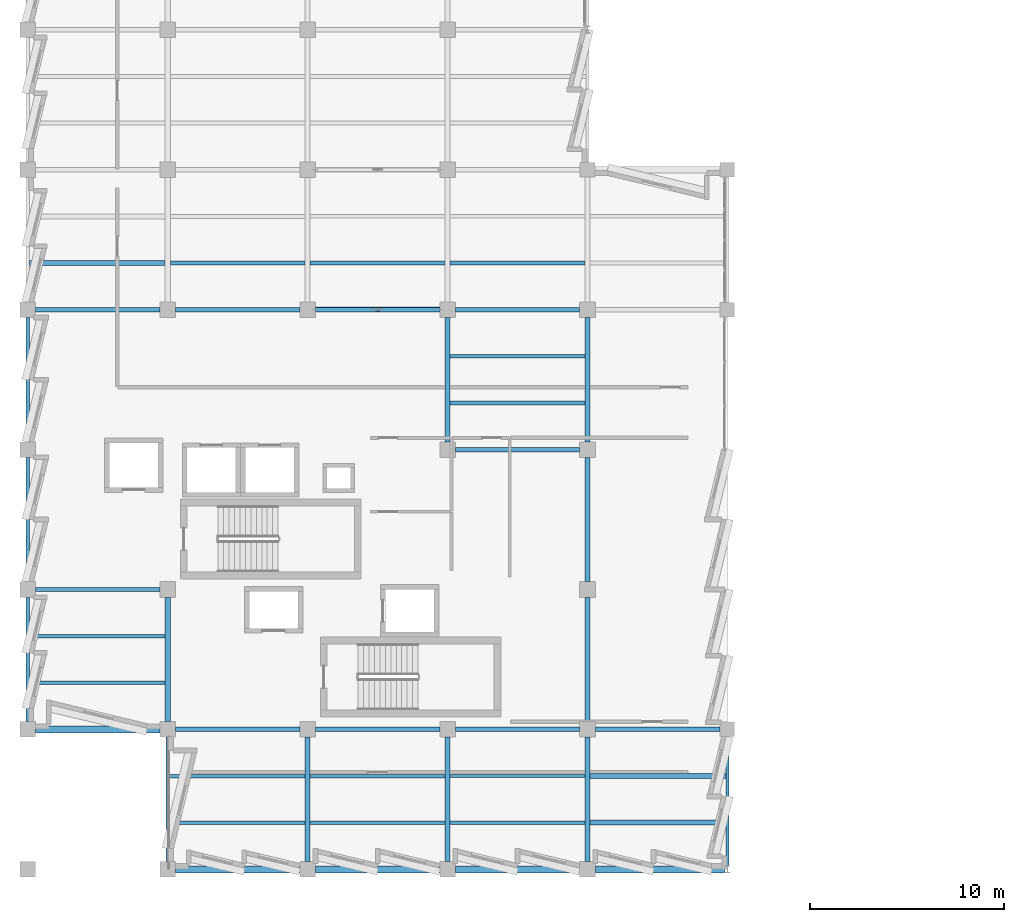
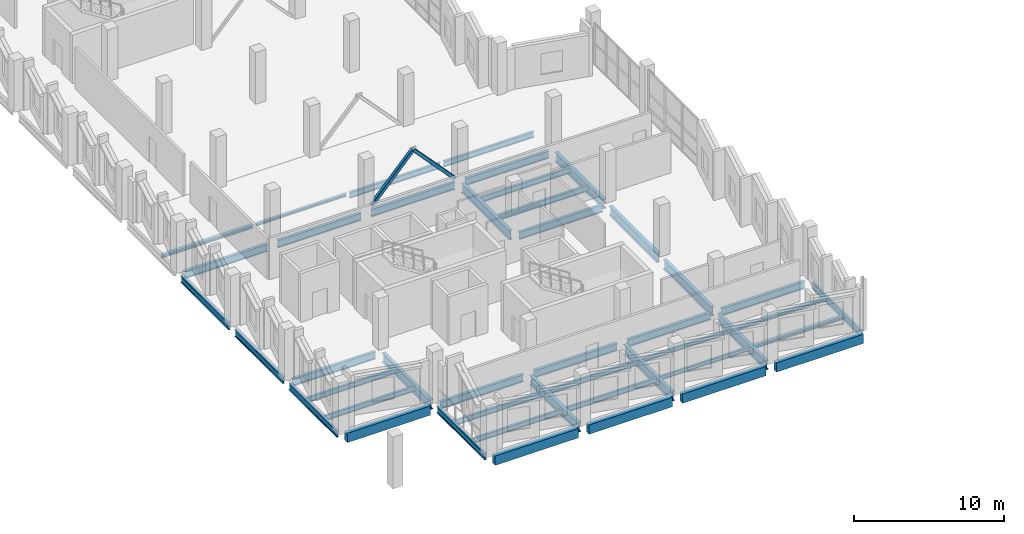
# One storey, part 23 of 94: 44 beams, 2 members.
"""IFC4 building model written with IfcOpenShell, lengths in metres."""

import ifcopenshell
import ifcopenshell.guid

model = None  # the IFC model being written
_history = None  # IfcOwnerHistory: only IFC2X3 demands one
_inside = {}  # id of a spatial element -> (the spatial element, [elements in it])
_under = {}  # id of a project, library or spatial element -> (it, [spatial elements below it])
_declared = {}  # id of a project -> (the project, [libraries it declares])
_typed = {}  # id of a type object -> (the type object, [elements of that type])
_made_of = {}  # id of a material, layer set ... -> (it, [elements and type objects made of it])


def new_model(schema):
    """Start an empty IFC model of exactly this schema.

    Asked for "IFC4X3", IfcOpenShell would pick the latest addendum, in which some entities
    have other attributes; the version numbers below select the first issue.
    IFC2X3 requires an IfcOwnerHistory on every rooted entity: one is made here for all.
    """
    global model, _history
    if schema == "IFC4X3":
        model = ifcopenshell.file(schema_version=(4, 3, 0, 0))
    else:
        model = ifcopenshell.file(schema=schema)
    _inside.clear()
    _under.clear()
    _declared.clear()
    _typed.clear()
    _made_of.clear()
    _history = None
    if model.schema == "IFC2X3":
        org = make("IfcOrganization", Name="unknown")
        user = make(
            "IfcPersonAndOrganization",
            ThePerson=make("IfcPerson", FamilyName="unknown"),
            TheOrganization=org,
        )
        app = make(
            "IfcApplication",
            ApplicationDeveloper=org,
            Version="unknown",
            ApplicationFullName="unknown",
            ApplicationIdentifier="unknown",
        )
        _history = make(
            "IfcOwnerHistory",
            OwningUser=user,
            OwningApplication=app,
            ChangeAction="ADDED",
            CreationDate=0,
        )
    return model


def make(cls, **values):
    """One entity of the class cls with the attributes given. An attribute that is None is left unset."""
    return model.create_entity(
        cls, **{name: value for name, value in values.items() if value is not None}
    )


def rooted(cls, **values):
    """An entity with a GlobalId (a new one), such as an element, a storey or a relation."""
    return make(cls, GlobalId=ifcopenshell.guid.new(), OwnerHistory=_history, **values)


def si_unit(unit_type, name, prefix=None):
    """IfcSIUnit, for example si_unit("LENGTHUNIT", "METRE", prefix="MILLI")."""
    return make("IfcSIUnit", UnitType=unit_type, Prefix=prefix, Name=name)


def assignment(units):
    """IfcUnitAssignment: the units of a project."""
    return None if units is None else make("IfcUnitAssignment", Units=units)


def point(xyz):
    """IfcCartesianPoint."""
    return None if xyz is None else make("IfcCartesianPoint", Coordinates=xyz)


def direction(xyz):
    """IfcDirection."""
    return None if xyz is None else make("IfcDirection", DirectionRatios=xyz)


def frame(location, z_axis=None, x_axis=None):
    """IfcAxis2Placement3D, a coordinate frame: its origin and axes. An axis left out is left unset."""
    return make(
        "IfcAxis2Placement3D",
        Location=point(location),
        Axis=direction(z_axis),
        RefDirection=direction(x_axis),
    )


def frame_2d(location, x_axis=None):
    """IfcAxis2Placement2D, a coordinate frame in the plane: its origin and x axis."""
    return make(
        "IfcAxis2Placement2D", Location=point(location), RefDirection=direction(x_axis)
    )


def origin():
    """The frame at (0, 0, 0) with its axes left unset."""
    return frame((0.0, 0.0, 0.0))


def origin_2d():
    """The frame at (0, 0) in the plane with its x axis left unset."""
    return frame_2d((0.0, 0.0))


def place(relative_to, where):
    """IfcLocalPlacement: puts the frame where relative to a parent placement (None: the world)."""
    return make(
        "IfcLocalPlacement", PlacementRelTo=relative_to, RelativePlacement=where
    )


def context(
    kind, dimensions, precision=None, world=None, true_north=None, identifier=None
):
    """IfcGeometricRepresentationContext, for example the 3D "Model" context."""
    return make(
        "IfcGeometricRepresentationContext",
        ContextIdentifier=identifier,
        ContextType=kind,
        CoordinateSpaceDimension=dimensions,
        Precision=precision,
        WorldCoordinateSystem=world,
        TrueNorth=true_north,
    )


def subcontext(parent, identifier, kind, view, scale=None):
    """IfcGeometricRepresentationSubContext, for example "Body" below "Model"."""
    return make(
        "IfcGeometricRepresentationSubContext",
        ContextIdentifier=identifier,
        ContextType=kind,
        ParentContext=parent,
        TargetScale=scale,
        TargetView=view,
    )


def project(units=None, contexts=None):
    """IfcProject with its units and contexts."""
    return rooted(
        "IfcProject",
        Name="project",
        RepresentationContexts=contexts,
        UnitsInContext=assignment(units),
    )


def spatial(cls, under=None, at=None, **own):
    """A site, building, storey or space (cls), placed at a placement, below another one or the project."""
    s = rooted(cls, ObjectPlacement=at, **own)
    if under is not None:
        _under.setdefault(under.id(), (under, []))[1].append(s)
    return s


def profile(cls, at=None, kind="AREA", **sizes):
    """A parametric profile (cls). Its sizes go by their IFC names, for example OverallWidth=200.0."""
    return make(cls, ProfileType=kind, Position=at, **sizes)


def rectangle(**sizes):
    """IfcRectangleProfileDef."""
    return profile("IfcRectangleProfileDef", **sizes)


def hollow_rectangle(**sizes):
    """IfcRectangleHollowProfileDef."""
    return profile("IfcRectangleHollowProfileDef", **sizes)


def i_section(**sizes):
    """IfcIShapeProfileDef."""
    return profile("IfcIShapeProfileDef", **sizes)


def extrude(swept, where, along, depth):
    """IfcExtrudedAreaSolid: the profile swept, set in the frame where, extruded along a direction by depth."""
    return make(
        "IfcExtrudedAreaSolid",
        SweptArea=swept,
        Position=where,
        ExtrudedDirection=direction(along),
        Depth=depth,
    )


def shape(context_of_items, identifier, shape_type, items):
    """IfcShapeRepresentation: the items that make up one representation, for example the "Body"."""
    return make(
        "IfcShapeRepresentation",
        ContextOfItems=context_of_items,
        RepresentationIdentifier=identifier,
        RepresentationType=shape_type,
        Items=items,
    )


def material(Name=None, Category=None):
    """IfcMaterial."""
    return make("IfcMaterial", Name=Name, Category=Category)


def material_profile(
    of_material, cross_section, Name=None, Category=None, Priority=None
):
    """IfcMaterialProfile: a cross section and its material."""
    return make(
        "IfcMaterialProfile",
        Name=Name,
        Material=of_material,
        Profile=cross_section,
        Priority=Priority,
        Category=Category,
    )


def profile_set(profiles, Name=None, composite=None):
    """IfcMaterialProfileSet."""
    return make(
        "IfcMaterialProfileSet",
        Name=Name,
        MaterialProfiles=profiles,
        CompositeProfile=composite,
    )


def made_of(thing, what):
    """Note that an element or type object is made of a material, layer set ...; save() writes the relation."""
    if what is not None:
        _made_of.setdefault(what.id(), (what, []))[1].append(thing)
    return thing


def type_object(cls, material=None, **own):
    """A type object (cls), such as IfcWallType, which elements share."""
    return made_of(rooted(cls, **own), material)


def element(
    cls,
    number,
    at=None,
    inside=None,
    cuts=None,
    type_object=None,
    material=None,
    context=None,
    identifier="Body",
    shape_type=None,
    held_by="IfcProductDefinitionShape",
    body=None,
    shapes=None,
    **own,
):
    """One element of the class cls, such as IfcWall. Its Tag is "e" and its number.

    at: its placement. inside: the storey or other place that contains it. cuts: it is an
    opening in that element (IfcRelVoidsElement). A single representation is given by context,
    identifier, shape_type and body (its items); several are given by shapes. held_by: the class
    of the entity that holds the representations. save() writes the other relations.
    """
    e = rooted(cls, Tag="e%d" % number, ObjectPlacement=at, **own)
    if body is not None:
        shapes = [shape(context, identifier, shape_type, body)]
    if shapes is not None:
        e.Representation = make(held_by, Representations=shapes)
    if inside is not None:
        _inside.setdefault(inside.id(), (inside, []))[1].append(e)
    if cuts is not None:
        rooted(
            "IfcRelVoidsElement", RelatingBuildingElement=cuts, RelatedOpeningElement=e
        )
    if type_object is not None:
        _typed.setdefault(type_object.id(), (type_object, []))[1].append(e)
    return made_of(e, material)


def aggregate(whole, parts):
    """IfcRelAggregates: a whole, such as a stair, and the parts it consists of."""
    return rooted("IfcRelAggregates", RelatingObject=whole, RelatedObjects=parts)


def save(model, path):
    """Write the relations noted so far, then the file.

    IfcRelAggregates (storeys below a building ...), IfcRelContainedInSpatialStructure (elements
    in a storey), IfcRelDefinesByType, IfcRelAssociatesMaterial and IfcRelDeclares: one each for
    every whole, place, type object, material and project.
    """
    for whole, parts in _under.values():
        aggregate(whole, parts)
    for where, things in _inside.values():
        rooted(
            "IfcRelContainedInSpatialStructure",
            RelatedElements=things,
            RelatingStructure=where,
        )
    for kind, things in _typed.values():
        rooted("IfcRelDefinesByType", RelatedObjects=things, RelatingType=kind)
    for what, things in _made_of.values():
        rooted("IfcRelAssociatesMaterial", RelatedObjects=things, RelatingMaterial=what)
    for by, libraries in _declared.values():
        rooted("IfcRelDeclares", RelatingContext=by, RelatedDefinitions=libraries)
    model.write(path)


model = new_model("IFC4")

# Units and contexts
model_context = context("Model", 3, precision=1e-05, world=origin(), true_north=direction((0.0, 1.0)))
body_context = subcontext(model_context, "Body", "Model", "MODEL_VIEW")
ifc_project = project(units=[si_unit("LENGTHUNIT", "METRE"), si_unit("AREAUNIT", "SQUARE_METRE"), si_unit("VOLUMEUNIT", "CUBIC_METRE"), si_unit("PLANEANGLEUNIT", "RADIAN"), si_unit("MASSUNIT", "GRAM", prefix="KILO")], contexts=[model_context])

# Site, building, storey
site_placement = place(None, origin())
site = spatial("IfcSite", under=ifc_project, at=site_placement, CompositionType="ELEMENT")
building_placement = place(site_placement, origin())
building = spatial("IfcBuilding", under=site, at=building_placement, Name="Kalmorath City Hall", CompositionType="ELEMENT")
storey_placement = place(building_placement, frame((0.0, 0.0, 14.699951171875)))
storey = spatial("IfcBuildingStorey", under=building, at=storey_placement, Name="L03", CompositionType="ELEMENT", Elevation=14.699951171875)

# Beams
ifc_material_1 = material(Name="Precast concrete C40/50", Category="concrete")
ifc_material_profile_1 = material_profile(ifc_material_1, rectangle(XDim=0.35009765625, YDim=0.75, at=origin_2d()), Name="PC-SP-350X750")
ifc_profile_set_1 = profile_set([ifc_material_profile_1], Name="Precast concrete C40/50")
beam_type_1 = type_object("IfcBeamType", Name="Precast spandrel lintel 350x750", PredefinedType="LINTEL", material=ifc_profile_set_1)
for number, where, z_axis, x_axis, name in (
    (1, (7.60009765625, 0.0, -0.638916015625), (1.0, 0.0, 0.0), (0.0, 1.0, 0.0), "L03 girder PSB1 X2-3/1"),
    (2, (14.800048828125, 0.0, -0.638916015625), (1.0, 0.0, 0.0), (0.0, 1.0, 0.0), "L03 girder PSB1 X3-4/1"),
    (3, (22.0, 0.0, -0.638916015625), (1.0, 0.0, 0.0), (0.0, 1.0, 0.0), "L03 girder PSB1 X4-5/1"),
):
    element("IfcBeam", number, at=place(storey_placement, frame(where, z_axis=z_axis, x_axis=x_axis)), inside=storey, type_object=beam_type_1, Name=name, PredefinedType="LINTEL", context=body_context, shape_type="SweptSolid", body=[
        extrude(rectangle(XDim=0.35009765625, YDim=0.75, at=origin_2d()), origin(), (0.0, 0.0, 1.0), 6.39990234375),
    ])
beam_1_placement = place(storey_placement, frame((29.199951171875, 0.0, -0.638916015625), z_axis=(1.0, 0.0, 0.0), x_axis=(0.0, 1.0, 0.0)))
element("IfcBeam", 4, at=beam_1_placement, inside=storey, type_object=beam_type_1, Name="L03 girder PSB1 X5-6/1", PredefinedType="LINTEL", context=body_context, shape_type="SweptSolid", body=[
    extrude(rectangle(XDim=0.35009765625, YDim=0.75, at=origin_2d()), origin(), (0.0, 0.0, 1.0), 6.673095703125),
])
beam_2_placement = place(storey_placement, frame((0.39990234375, 7.199951171875, -0.638916015625), z_axis=(1.0, 0.0, 0.0), x_axis=(0.0, 1.0, 0.0)))
element("IfcBeam", 5, at=beam_2_placement, inside=storey, type_object=beam_type_1, Name="L03 girder PSB1 X1-2/2", PredefinedType="LINTEL", context=body_context, shape_type="SweptSolid", body=[
    extrude(rectangle(XDim=0.35009765625, YDim=0.75, at=origin_2d()), origin(), (0.0, 0.0, 1.0), 6.400146484375),
])
ifc_material_2 = material(Name="Steel ASTM A992 Grade 50", Category="steel")
ifc_material_profile_2 = material_profile(ifc_material_2, i_section(OverallWidth=0.177001953125, OverallDepth=0.403076171875, WebThickness=0.007568359375, FlangeThickness=0.010986328125, FilletRadius=0.012939453125, at=origin_2d()), Name="W16X36")
ifc_profile_set_2 = profile_set([ifc_material_profile_2], Name="Steel ASTM A992 Grade 50")
beam_type_2 = type_object("IfcBeamType", Name="Steel composite joist W16X36", PredefinedType="JOIST", material=ifc_profile_set_2)
for number, where, z_axis, x_axis, name in (
    (6, (14.533935546875, 2.39990234375, -0.46533203125), (1.0, 0.0, 0.0), (0.0, 1.0, 0.0), "L03 joist SJ7 3.1.1"),
    (7, (14.533935546875, 4.800048828125, -0.46533203125), (1.0, 0.0, 0.0), (0.0, 1.0, 0.0), "L03 joist SJ7 3.1.2"),
):
    element("IfcBeam", number, at=place(storey_placement, frame(where, z_axis=z_axis, x_axis=x_axis)), inside=storey, type_object=beam_type_2, Name=name, PredefinedType="JOIST", context=body_context, shape_type="SweptSolid", body=[
        extrude(i_section(OverallWidth=0.177001953125, OverallDepth=0.403076171875, WebThickness=0.007568359375, FlangeThickness=0.010986328125, FilletRadius=0.012939453125, at=origin_2d()), origin(), (0.0, 0.0, 1.0), 6.93212890625),
    ])
ifc_material_3 = material(Name="Steel ASTM A992 Grade 50", Category="steel")
ifc_material_profile_3 = material_profile(ifc_material_3, i_section(OverallWidth=0.178955078125, OverallDepth=0.409912109375, WebThickness=0.0087890625, FlangeThickness=0.014404296875, FilletRadius=0.012939453125, at=origin_2d()), Name="W16X45")
ifc_profile_set_3 = profile_set([ifc_material_profile_3], Name="Steel ASTM A992 Grade 50")
beam_type_3 = type_object("IfcBeamType", Name="Steel composite joist W16X45", PredefinedType="JOIST", material=ifc_profile_set_3)
for number, where, z_axis, x_axis, name in (
    (8, (0.08251953125, 9.60009765625, -0.468994140625), (1.0, 0.0, 0.0), (0.0, 1.0, 0.0), "L03 joist SJ6 1.2.1"),
    (9, (0.08251953125, 12.0, -0.468994140625), (1.0, 0.0, 0.0), (0.0, 1.0, 0.0), "L03 joist SJ6 1.2.2"),
):
    element("IfcBeam", number, at=place(storey_placement, frame(where, z_axis=z_axis, x_axis=x_axis)), inside=storey, type_object=beam_type_3, Name=name, PredefinedType="JOIST", context=body_context, shape_type="SweptSolid", body=[
        extrude(i_section(OverallWidth=0.178955078125, OverallDepth=0.409912109375, WebThickness=0.0087890625, FlangeThickness=0.014404296875, FilletRadius=0.012939453125, at=origin_2d()), origin(), (0.0, 0.0, 1.0), 6.9833984375),
    ])
for number, where, z_axis, x_axis, name in (
    (10, (7.282470703125, 2.39990234375, -0.468994140625), (1.0, 0.0, 0.0), (0.0, 1.0, 0.0), "L03 joist SJ6 2.1.1"),
    (11, (7.282470703125, 4.800048828125, -0.468994140625), (1.0, 0.0, 0.0), (0.0, 1.0, 0.0), "L03 joist SJ6 2.1.2"),
):
    element("IfcBeam", number, at=place(storey_placement, frame(where, z_axis=z_axis, x_axis=x_axis)), inside=storey, type_object=beam_type_3, Name=name, PredefinedType="JOIST", context=body_context, shape_type="SweptSolid", body=[
        extrude(i_section(OverallWidth=0.178955078125, OverallDepth=0.409912109375, WebThickness=0.0087890625, FlangeThickness=0.014404296875, FilletRadius=0.012939453125, at=origin_2d()), origin(), (0.0, 0.0, 1.0), 6.983642578125),
    ])
ifc_material_4 = material(Name="Steel ASTM A992 Grade 50", Category="steel")
ifc_material_profile_4 = material_profile(ifc_material_4, i_section(OverallWidth=0.19091796875, OverallDepth=0.4599609375, WebThickness=0.010009765625, FlangeThickness=0.01611328125, FilletRadius=0.013916015625, at=origin_2d()), Name="W18X55")
ifc_profile_set_4 = profile_set([ifc_material_profile_4], Name="Steel ASTM A992 Grade 50")
beam_type_4 = type_object("IfcBeamType", Name="Steel composite joist W18X55", PredefinedType="JOIST", material=ifc_profile_set_4)
beam_3_placement = place(storey_placement, frame((21.73388671875, 31.199951171875, -0.493896484375), z_axis=(1.0, 0.0, 0.0), x_axis=(0.0, 1.0, 0.0)))
element("IfcBeam", 12, at=beam_3_placement, inside=storey, type_object=beam_type_4, Name="L03 joist SJ2 4.5.1", PredefinedType="JOIST", context=body_context, shape_type="SweptSolid", body=[
    extrude(i_section(OverallWidth=0.19091796875, OverallDepth=0.4599609375, WebThickness=0.010009765625, FlangeThickness=0.01611328125, FilletRadius=0.013916015625, at=origin_2d()), origin(), (0.0, 0.0, 1.0), 6.93212890625),
])
ifc_material_5 = material(Name="Steel ASTM A992 Grade 50", Category="steel")
ifc_material_profile_5 = material_profile(ifc_material_5, i_section(OverallWidth=0.193115234375, OverallDepth=0.466064453125, WebThickness=0.011474609375, FlangeThickness=0.01904296875, FilletRadius=0.013916015625, at=origin_2d()), Name="W18X65")
ifc_profile_set_5 = profile_set([ifc_material_profile_5], Name="Steel ASTM A992 Grade 50")
beam_type_5 = type_object("IfcBeamType", Name="Steel composite joist W18X65", PredefinedType="JOIST", material=ifc_profile_set_5)
for number, where, z_axis, x_axis, name in (
    (13, (14.533935546875, 31.199951171875, -0.4970703125), (1.0, 0.0, 0.0), (0.0, 1.0, 0.0), "L03 joist SJ1 3.5.1"),
    (14, (21.73388671875, 24.0, -0.4970703125), (1.0, 0.0, 0.0), (0.0, 1.0, 0.0), "L03 joist SJ1 4.4.1"),
    (15, (21.73388671875, 26.39990234375, -0.4970703125), (1.0, 0.0, 0.0), (0.0, 1.0, 0.0), "L03 joist SJ1 4.4.2"),
):
    element("IfcBeam", number, at=place(storey_placement, frame(where, z_axis=z_axis, x_axis=x_axis)), inside=storey, type_object=beam_type_5, Name=name, PredefinedType="JOIST", context=body_context, shape_type="SweptSolid", body=[
        extrude(i_section(OverallWidth=0.193115234375, OverallDepth=0.466064453125, WebThickness=0.011474609375, FlangeThickness=0.01904296875, FilletRadius=0.013916015625, at=origin_2d()), origin(), (0.0, 0.0, 1.0), 6.93212890625),
    ])
ifc_material_6 = material(Name="Steel ASTM A992 Grade 50", Category="steel")
ifc_material_profile_6 = material_profile(ifc_material_6, i_section(OverallWidth=0.202880859375, OverallDepth=0.202880859375, WebThickness=0.007080078125, FlangeThickness=0.010986328125, FilletRadius=0.010986328125, at=origin_2d()), Name="W8X31")
ifc_profile_set_6 = profile_set([ifc_material_profile_6], Name="Steel ASTM A992 Grade 50")
beam_type_6 = type_object("IfcBeamType", Name="Steel edge trimmer W8X31", PredefinedType="LINTEL", material=ifc_profile_set_6)
beam_4_placement = place(storey_placement, frame((7.333984375, 31.199951171875, -0.365478515625), z_axis=(1.0, 0.0, 0.0), x_axis=(0.0, 1.0, 0.0)))
element("IfcBeam", 16, at=beam_4_placement, inside=storey, type_object=beam_type_6, Name="L03 joist SJ16 2.5.1", PredefinedType="LINTEL", context=body_context, shape_type="SweptSolid", body=[
    extrude(i_section(OverallWidth=0.202880859375, OverallDepth=0.202880859375, WebThickness=0.007080078125, FlangeThickness=0.010986328125, FilletRadius=0.010986328125, at=origin_2d()), origin(), (0.0, 0.0, 1.0), 6.93212890625),
])
ifc_material_7 = material(Name="Steel ASTM A992 Grade 50", Category="steel")
ifc_material_profile_7 = material_profile(ifc_material_7, i_section(OverallWidth=0.22802734375, OverallDepth=0.60302734375, WebThickness=0.010498046875, FlangeThickness=0.014892578125, FilletRadius=0.01611328125, at=origin_2d()), Name="W24X68")
ifc_profile_set_7 = profile_set([ifc_material_profile_7], Name="Steel ASTM A992 Grade 50")
beam_type_7 = type_object("IfcBeamType", Name="Steel floor girder W24X68", PredefinedType="BEAM", material=ifc_profile_set_7)
for number, where, z_axis, x_axis, name in (
    (17, (7.60009765625, 7.199951171875, -0.5654296875), (1.0, 0.0, 0.0), (0.0, 1.0, 0.0), "L03 girder SG9 X2-3/2"),
    (18, (14.800048828125, 7.199951171875, -0.5654296875), (1.0, 0.0, 0.0), (0.0, 1.0, 0.0), "L03 girder SG9 X3-4/2"),
    (19, (22.0, 7.199951171875, -0.5654296875), (1.0, 0.0, 0.0), (0.0, 1.0, 0.0), "L03 girder SG9 X4-5/2"),
):
    element("IfcBeam", number, at=place(storey_placement, frame(where, z_axis=z_axis, x_axis=x_axis)), inside=storey, type_object=beam_type_7, Name=name, PredefinedType="BEAM", context=body_context, shape_type="SweptSolid", body=[
        extrude(i_section(OverallWidth=0.22802734375, OverallDepth=0.60302734375, WebThickness=0.010498046875, FlangeThickness=0.014892578125, FilletRadius=0.01611328125, at=origin_2d()), origin(), (0.0, 0.0, 1.0), 6.39990234375),
    ])
beam_5_placement = place(storey_placement, frame((29.199951171875, 7.199951171875, -0.5654296875), z_axis=(1.0, 0.0, 0.0), x_axis=(0.0, 1.0, 0.0)))
element("IfcBeam", 20, at=beam_5_placement, inside=storey, type_object=beam_type_7, Name="L03 girder SG9 X5-6/2", PredefinedType="BEAM", context=body_context, shape_type="SweptSolid", body=[
    extrude(i_section(OverallWidth=0.22802734375, OverallDepth=0.60302734375, WebThickness=0.010498046875, FlangeThickness=0.014892578125, FilletRadius=0.01611328125, at=origin_2d()), origin(), (0.0, 0.0, 1.0), 6.425048828125),
])
beam_6_placement = place(storey_placement, frame((0.39990234375, 14.39990234375, -0.5654296875), z_axis=(1.0, 0.0, 0.0), x_axis=(0.0, 1.0, 0.0)))
element("IfcBeam", 21, at=beam_6_placement, inside=storey, type_object=beam_type_7, Name="L03 girder SG9 X1-2/3", PredefinedType="BEAM", context=body_context, shape_type="SweptSolid", body=[
    extrude(i_section(OverallWidth=0.22802734375, OverallDepth=0.60302734375, WebThickness=0.010498046875, FlangeThickness=0.014892578125, FilletRadius=0.01611328125, at=origin_2d()), origin(), (0.0, 0.0, 1.0), 6.400146484375),
])
beam_7_placement = place(storey_placement, frame((22.0, 21.60009765625, -0.5654296875), z_axis=(1.0, 0.0, 0.0), x_axis=(0.0, 1.0, 0.0)))
element("IfcBeam", 22, at=beam_7_placement, inside=storey, type_object=beam_type_7, Name="L03 girder SG9 X4-5/4", PredefinedType="BEAM", context=body_context, shape_type="SweptSolid", body=[
    extrude(i_section(OverallWidth=0.22802734375, OverallDepth=0.60302734375, WebThickness=0.010498046875, FlangeThickness=0.014892578125, FilletRadius=0.01611328125, at=origin_2d()), origin(), (0.0, 0.0, 1.0), 6.39990234375),
])
beam_8_placement = place(storey_placement, frame((0.39990234375, 28.800048828125, -0.5654296875), z_axis=(1.0, 0.0, 0.0), x_axis=(0.0, 1.0, 0.0)))
element("IfcBeam", 23, at=beam_8_placement, inside=storey, type_object=beam_type_7, Name="L03 girder SG9 X1-2/5", PredefinedType="BEAM", context=body_context, shape_type="SweptSolid", body=[
    extrude(i_section(OverallWidth=0.22802734375, OverallDepth=0.60302734375, WebThickness=0.010498046875, FlangeThickness=0.014892578125, FilletRadius=0.01611328125, at=origin_2d()), origin(), (0.0, 0.0, 1.0), 6.400146484375),
])
for number, where, z_axis, x_axis, name in (
    (24, (7.60009765625, 28.800048828125, -0.5654296875), (1.0, 0.0, 0.0), (0.0, 1.0, 0.0), "L03 girder SG9 X2-3/5"),
    (25, (14.800048828125, 28.800048828125, -0.5654296875), (1.0, 0.0, 0.0), (0.0, 1.0, 0.0), "L03 girder SG9 X3-4/5"),
    (26, (22.0, 28.800048828125, -0.5654296875), (1.0, 0.0, 0.0), (0.0, 1.0, 0.0), "L03 girder SG9 X4-5/5"),
):
    element("IfcBeam", number, at=place(storey_placement, frame(where, z_axis=z_axis, x_axis=x_axis)), inside=storey, type_object=beam_type_7, Name=name, PredefinedType="BEAM", context=body_context, shape_type="SweptSolid", body=[
        extrude(i_section(OverallWidth=0.22802734375, OverallDepth=0.60302734375, WebThickness=0.010498046875, FlangeThickness=0.014892578125, FilletRadius=0.01611328125, at=origin_2d()), origin(), (0.0, 0.0, 1.0), 6.39990234375),
    ])
ifc_material_8 = material(Name="Steel ASTM A992 Grade 50", Category="steel")
ifc_material_profile_8 = material_profile(ifc_material_8, i_section(OverallWidth=0.1669921875, OverallDepth=0.318115234375, WebThickness=0.007568359375, FlangeThickness=0.01318359375, FilletRadius=0.012939453125, at=origin_2d()), Name="W12X35")
ifc_profile_set_8 = profile_set([ifc_material_profile_8], Name="Steel ASTM A992 Grade 50")
beam_type_8 = type_object("IfcBeamType", Name="Steel header lintel W12X35", PredefinedType="LINTEL", material=ifc_profile_set_8)
for number, where, z_axis, x_axis, name in (
    (27, (21.73388671875, 2.39990234375, -0.4228515625), (1.0, 0.0, 0.0), (0.0, 1.0, 0.0), "L03 joist SJ13 4.1.1"),
    (28, (21.73388671875, 4.800048828125, -0.4228515625), (1.0, 0.0, 0.0), (0.0, 1.0, 0.0), "L03 joist SJ13 4.1.2"),
):
    element("IfcBeam", number, at=place(storey_placement, frame(where, z_axis=z_axis, x_axis=x_axis)), inside=storey, type_object=beam_type_8, Name=name, PredefinedType="LINTEL", context=body_context, shape_type="SweptSolid", body=[
        extrude(i_section(OverallWidth=0.1669921875, OverallDepth=0.318115234375, WebThickness=0.007568359375, FlangeThickness=0.01318359375, FilletRadius=0.012939453125, at=origin_2d()), origin(), (0.0, 0.0, 1.0), 6.93212890625),
    ])
ifc_material_9 = material(Name="Steel ASTM A992 Grade 50", Category="steel")
ifc_material_profile_9 = material_profile(ifc_material_9, i_section(OverallWidth=0.26806640625, OverallDepth=0.77001953125, WebThickness=0.015625, FlangeThickness=0.025390625, FilletRadius=0.02001953125, at=origin_2d()), Name="W30X132")
ifc_profile_set_9 = profile_set([ifc_material_profile_9], Name="Steel ASTM A992 Grade 50")
beam_type_9 = type_object("IfcBeamType", Name="Steel primary girder W30X132", PredefinedType="BEAM", material=ifc_profile_set_9)
beam_9_placement = place(storey_placement, frame((7.199951171875, 7.60009765625, -0.64892578125), z_axis=(0.0, 1.0, 0.0), x_axis=(-1.0, 0.0, 0.0)))
element("IfcBeam", 29, at=beam_9_placement, inside=storey, type_object=beam_type_9, Name="L03 girder SG3 Y2/2-3", PredefinedType="BEAM", context=body_context, shape_type="SweptSolid", body=[
    extrude(i_section(OverallWidth=0.26806640625, OverallDepth=0.77001953125, WebThickness=0.015625, FlangeThickness=0.025390625, FilletRadius=0.02001953125, at=origin_2d()), origin(), (0.0, 0.0, 1.0), 6.39990234375),
])
for number, where, z_axis, x_axis, name in (
    (30, (14.39990234375, 0.39990234375, -0.64892578125), (0.0, 1.0, 0.0), (-1.0, 0.0, 0.0), "L03 girder SG3 Y3/1-2"),
    (31, (21.60009765625, 0.39990234375, -0.64892578125), (0.0, 1.0, 0.0), (-1.0, 0.0, 0.0), "L03 girder SG3 Y4/1-2"),
):
    element("IfcBeam", number, at=place(storey_placement, frame(where, z_axis=z_axis, x_axis=x_axis)), inside=storey, type_object=beam_type_9, Name=name, PredefinedType="BEAM", context=body_context, shape_type="SweptSolid", body=[
        extrude(i_section(OverallWidth=0.26806640625, OverallDepth=0.77001953125, WebThickness=0.015625, FlangeThickness=0.025390625, FilletRadius=0.02001953125, at=origin_2d()), origin(), (0.0, 0.0, 1.0), 6.400146484375),
    ])
beam_10_placement = place(storey_placement, frame((21.60009765625, 22.0, -0.64892578125), z_axis=(0.0, 1.0, 0.0), x_axis=(-1.0, 0.0, 0.0)))
element("IfcBeam", 32, at=beam_10_placement, inside=storey, type_object=beam_type_9, Name="L03 girder SG3 Y4/4-5", PredefinedType="BEAM", context=body_context, shape_type="SweptSolid", body=[
    extrude(i_section(OverallWidth=0.26806640625, OverallDepth=0.77001953125, WebThickness=0.015625, FlangeThickness=0.025390625, FilletRadius=0.02001953125, at=origin_2d()), origin(), (0.0, 0.0, 1.0), 6.39990234375),
])
beam_11_placement = place(storey_placement, frame((28.800048828125, 0.39990234375, -0.64892578125), z_axis=(0.0, 1.0, 0.0), x_axis=(-1.0, 0.0, 0.0)))
element("IfcBeam", 33, at=beam_11_placement, inside=storey, type_object=beam_type_9, Name="L03 girder SG3 Y5/1-2", PredefinedType="BEAM", context=body_context, shape_type="SweptSolid", body=[
    extrude(i_section(OverallWidth=0.26806640625, OverallDepth=0.77001953125, WebThickness=0.015625, FlangeThickness=0.025390625, FilletRadius=0.02001953125, at=origin_2d()), origin(), (0.0, 0.0, 1.0), 6.400146484375),
])
for number, where, z_axis, x_axis, name in (
    (34, (28.800048828125, 7.60009765625, -0.64892578125), (0.0, 1.0, 0.0), (-1.0, 0.0, 0.0), "L03 girder SG3 Y5/2-3"),
    (35, (28.800048828125, 14.800048828125, -0.64892578125), (0.0, 1.0, 0.0), (-1.0, 0.0, 0.0), "L03 girder SG3 Y5/3-4"),
    (36, (28.800048828125, 22.0, -0.64892578125), (0.0, 1.0, 0.0), (-1.0, 0.0, 0.0), "L03 girder SG3 Y5/4-5"),
):
    element("IfcBeam", number, at=place(storey_placement, frame(where, z_axis=z_axis, x_axis=x_axis)), inside=storey, type_object=beam_type_9, Name=name, PredefinedType="BEAM", context=body_context, shape_type="SweptSolid", body=[
        extrude(i_section(OverallWidth=0.26806640625, OverallDepth=0.77001953125, WebThickness=0.015625, FlangeThickness=0.025390625, FilletRadius=0.02001953125, at=origin_2d()), origin(), (0.0, 0.0, 1.0), 6.39990234375),
    ])

# Members
ifc_material_10 = material(Name="Steel ASTM A500 Grade C", Category="steel")
ifc_material_profile_10 = material_profile(ifc_material_10, hollow_rectangle(XDim=0.25390625, YDim=0.25390625, WallThickness=0.01171875, InnerFilletRadius=0.01171875, OuterFilletRadius=0.023681640625, at=origin_2d()), Name="HSS254X254X12.7")
ifc_profile_set_10 = profile_set([ifc_material_profile_10], Name="Steel ASTM A500 Grade C")
member_type = type_object("IfcMemberType", Name="Steel seismic chevron brace HSS254X254X12.7", PredefinedType="BRACE", material=ifc_profile_set_10)
for number, where, z_axis, x_axis, name in (
    (37, (14.800048828125, 28.800048828125, 0.0), (0.680043029649, 0.0, 0.733172202027), (0.0, 1.0, 0.0), "L03 chevron brace BR1 1A"),
    (38, (21.199951171875, 28.800048828125, 0.0), (-0.680043029649, 0.0, 0.733172202027), (0.0, -1.0, 0.0), "L03 chevron brace BR1 1B"),
):
    element("IfcMember", number, at=place(storey_placement, frame(where, z_axis=z_axis, x_axis=x_axis)), inside=storey, type_object=member_type, Name=name, PredefinedType="BRACE", context=body_context, shape_type="SweptSolid", body=[
        extrude(hollow_rectangle(XDim=0.25390625, YDim=0.25390625, WallThickness=0.01171875, InnerFilletRadius=0.01171875, OuterFilletRadius=0.023681640625, at=origin_2d()), origin(), (0.0, 0.0, 1.0), 4.70556640625),
    ])

# Beams
ifc_material_11 = material(Name="Steel ASTM A992 Grade 50", Category="steel")
ifc_material_profile_11 = material_profile(ifc_material_11, i_section(OverallWidth=0.1650390625, OverallDepth=0.52490234375, WebThickness=0.0087890625, FlangeThickness=0.011474609375, FilletRadius=0.014892578125, at=origin_2d()), Name="W21X44")
ifc_profile_set_11 = profile_set([ifc_material_profile_11], Name="Steel ASTM A992 Grade 50")
beam_type_10 = type_object("IfcBeamType", Name="Steel spandrel beam W21X44", PredefinedType="SPANDREL", material=ifc_profile_set_11)
for number, where, z_axis, x_axis, name in (
    (39, (0.0, 7.60009765625, -0.5263671875), (0.0, 1.0, 0.0), (-1.0, 0.0, 0.0), "L03 girder SB4 Y1/2-3"),
    (40, (0.0, 14.800048828125, -0.5263671875), (0.0, 1.0, 0.0), (-1.0, 0.0, 0.0), "L03 girder SB4 Y1/3-4"),
    (41, (0.0, 22.0, -0.5263671875), (0.0, 1.0, 0.0), (-1.0, 0.0, 0.0), "L03 girder SB4 Y1/4-5"),
):
    element("IfcBeam", number, at=place(storey_placement, frame(where, z_axis=z_axis, x_axis=x_axis)), inside=storey, type_object=beam_type_10, Name=name, PredefinedType="SPANDREL", context=body_context, shape_type="SweptSolid", body=[
        extrude(i_section(OverallWidth=0.1650390625, OverallDepth=0.52490234375, WebThickness=0.0087890625, FlangeThickness=0.011474609375, FilletRadius=0.014892578125, at=origin_2d()), origin(), (0.0, 0.0, 1.0), 6.39990234375),
    ])
beam_12_placement = place(storey_placement, frame((7.199951171875, 0.39990234375, -0.5263671875), z_axis=(0.0, 1.0, 0.0), x_axis=(-1.0, 0.0, 0.0)))
element("IfcBeam", 42, at=beam_12_placement, inside=storey, type_object=beam_type_10, Name="L03 girder SB4 Y2/1-2", PredefinedType="SPANDREL", context=body_context, shape_type="SweptSolid", body=[
    extrude(i_section(OverallWidth=0.1650390625, OverallDepth=0.52490234375, WebThickness=0.0087890625, FlangeThickness=0.011474609375, FilletRadius=0.014892578125, at=origin_2d()), origin(), (0.0, 0.0, 1.0), 6.400146484375),
])
beam_13_placement = place(storey_placement, frame((36.0, 0.176513671875, -0.5263671875), z_axis=(0.0, 1.0, 0.0), x_axis=(-1.0, 0.0, 0.0)))
element("IfcBeam", 43, at=beam_13_placement, inside=storey, type_object=beam_type_10, Name="L03 girder SB4 Y6/1-2", PredefinedType="SPANDREL", context=body_context, shape_type="SweptSolid", body=[
    extrude(i_section(OverallWidth=0.1650390625, OverallDepth=0.52490234375, WebThickness=0.0087890625, FlangeThickness=0.011474609375, FilletRadius=0.014892578125, at=origin_2d()), origin(), (0.0, 0.0, 1.0), 6.6484375),
])
ifc_material_12 = material(Name="Steel ASTM A992 Grade 50", Category="steel")
ifc_material_profile_12 = material_profile(ifc_material_12, i_section(OverallWidth=0.25390625, OverallDepth=0.2529296875, WebThickness=0.008544921875, FlangeThickness=0.01416015625, FilletRadius=0.011962890625, at=origin_2d()), Name="W10X49")
ifc_profile_set_12 = profile_set([ifc_material_profile_12], Name="Steel ASTM A992 Grade 50")
beam_type_11 = type_object("IfcBeamType", Name="Steel trimmer beam W10X49", PredefinedType="BEAM", material=ifc_profile_set_12)
for number, where, z_axis, x_axis, name in (
    (44, (0.08251953125, 31.199951171875, -0.390380859375), (1.0, 0.0, 0.0), (0.0, 1.0, 0.0), "L03 joist SJ14 1.5.1"),
    (45, (28.93408203125, 2.39990234375, -0.390380859375), (1.0, 0.0, 0.0), (0.0, 1.0, 0.0), "L03 joist SJ14 5.1.1"),
    (46, (28.93408203125, 4.800048828125, -0.390380859375), (1.0, 0.0, 0.0), (0.0, 1.0, 0.0), "L03 joist SJ14 5.1.2"),
):
    element("IfcBeam", number, at=place(storey_placement, frame(where, z_axis=z_axis, x_axis=x_axis)), inside=storey, type_object=beam_type_11, Name=name, PredefinedType="BEAM", context=body_context, shape_type="SweptSolid", body=[
        extrude(i_section(OverallWidth=0.25390625, OverallDepth=0.2529296875, WebThickness=0.008544921875, FlangeThickness=0.01416015625, FilletRadius=0.011962890625, at=origin_2d()), origin(), (0.0, 0.0, 1.0), 6.9833984375),
    ])

save(model, "model.ifc")
